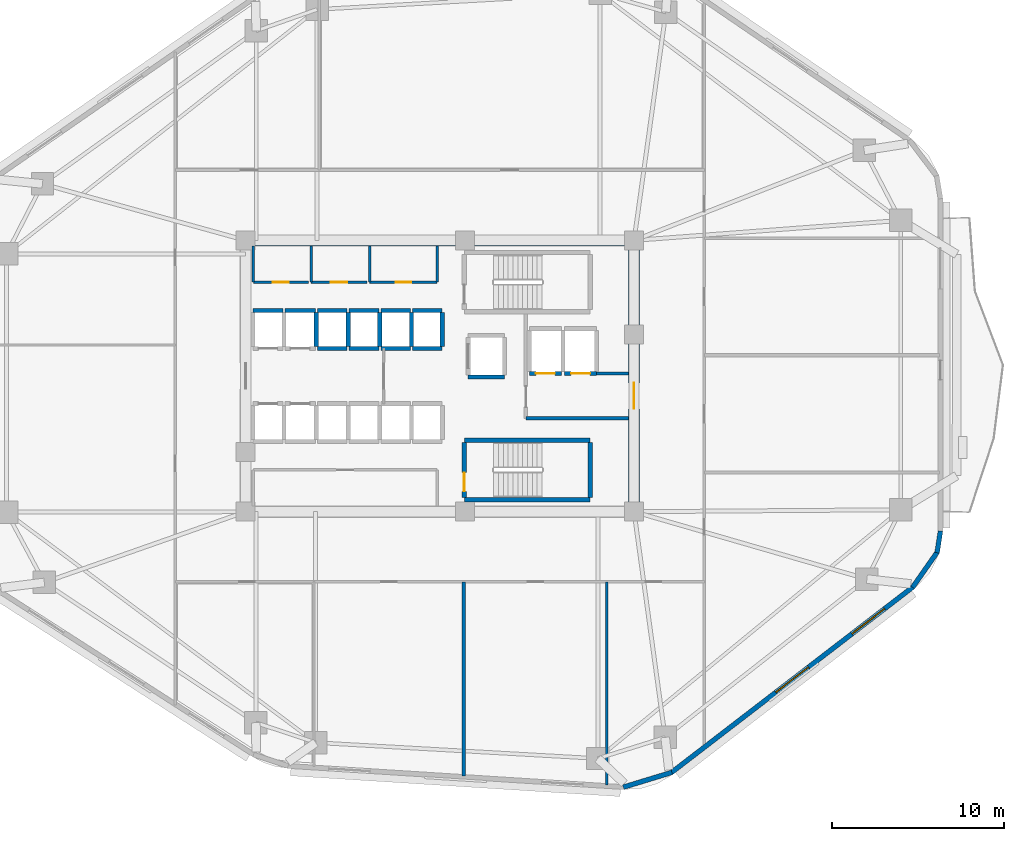
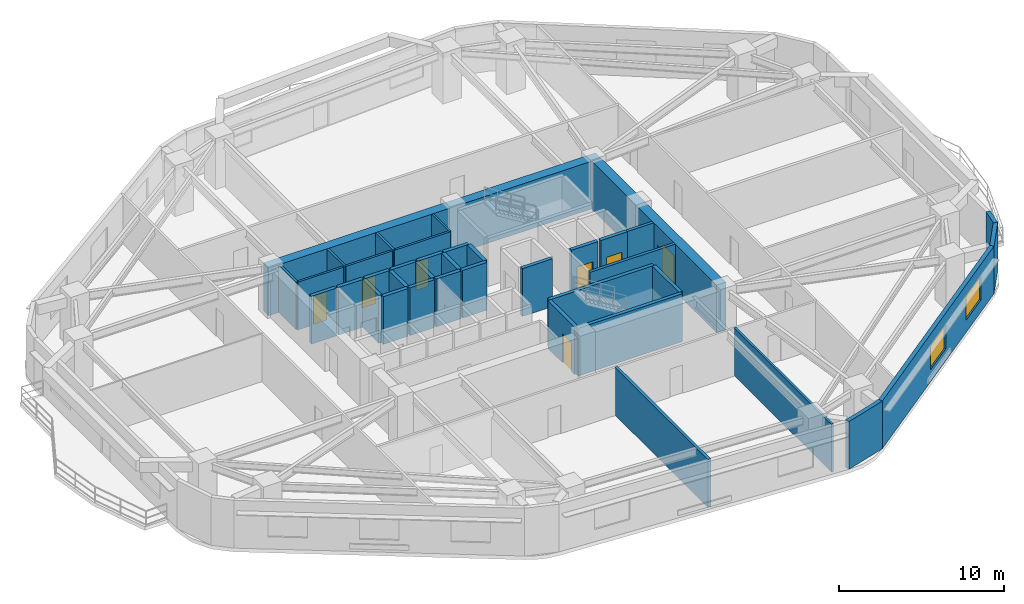
# One storey, part 4 of 9: 39 walls, 7 doors, 2 windows, 9 openings.
"""IFC4 building model written with IfcOpenShell, lengths in metres."""

from ifc_helpers import new_model, si_unit, direction, frame, frame_2d, origin, place, context, subcontext, project, spatial, rectangle, extrude, material, layer, layer_set, type_object, element, fill, save


model = new_model("IFC4")

# Units and contexts
model_context = context("Model", 3, precision=1e-05, world=origin(), true_north=direction((0.0, 1.0)))
body_context = subcontext(model_context, "Body", "Model", "MODEL_VIEW")
ifc_project = project(units=[si_unit("LENGTHUNIT", "METRE"), si_unit("AREAUNIT", "SQUARE_METRE"), si_unit("VOLUMEUNIT", "CUBIC_METRE"), si_unit("PLANEANGLEUNIT", "RADIAN"), si_unit("MASSUNIT", "GRAM", prefix="KILO")], contexts=[model_context])

# Site, building, storey
site_placement = place(None, origin())
site = spatial("IfcSite", under=ifc_project, at=site_placement, CompositionType="ELEMENT")
building_placement = place(site_placement, origin())
building = spatial("IfcBuilding", under=site, at=building_placement, Name="Zulverin Broadcast Headquarters", CompositionType="ELEMENT")
storey_placement = place(building_placement, frame((0.0, 0.0, 59.199951171875)))
storey = spatial("IfcBuildingStorey", under=building, at=storey_placement, Name="L14", CompositionType="ELEMENT", Elevation=59.199951171875)

# Walls
ifc_material_1 = material(Name="Acoustic drywall steel stud", Category="steel")
ifc_layer_1 = layer(ifc_material_1, 0.199951171875, Name="Acoustic drywall steel stud", Category="steel")
ifc_layer_set_1 = layer_set([ifc_layer_1], Name="Acoustic drywall steel stud")
wall_type_1 = type_object("IfcWallType", Name="WL-ACOU-200", PredefinedType="PARTITIONING", material=ifc_layer_set_1)
wall_1_placement = place(storey_placement, frame((38.39990234375, 1.989990234375, 0.0), z_axis=(0.0, 0.0, 1.0), x_axis=(0.0, 1.0, 0.0)))
element("IfcWall", 1, at=wall_1_placement, inside=storey, type_object=wall_type_1, Name="L14 Room Partition Wall RP-03", PredefinedType="PARTITIONING", context=body_context, shape_type="SweptSolid", body=[
    extrude(rectangle(XDim=11.260009765625, YDim=0.199951171875, at=frame_2d((5.6298828125, 0.0))), origin(), (0.0, 0.0, 1.0), 3.525146484375),
])
ifc_material_2 = material(Name="Concrete C60/75", Category="concrete")
ifc_layer_2 = layer(ifc_material_2, 0.64990234375, Name="Concrete C60/75", Category="concrete")
ifc_layer_set_2 = layer_set([ifc_layer_2], Name="Concrete C60/75")
wall_type_2 = type_object("IfcWallType", Name="WL-CORE-650", PredefinedType="SHEAR", material=ifc_layer_set_2)
wall_2_placement = place(storey_placement, frame((25.39990234375, 33.074951171875, 0.0), z_axis=(0.0, 0.0, 1.0), x_axis=(1.0, 0.0, 0.0)))
element("IfcWall", 2, at=wall_2_placement, inside=storey, type_object=wall_type_2, Name="L14 Core North Shear Wall", PredefinedType="SHEAR", context=body_context, shape_type="SweptSolid", body=[
    extrude(rectangle(XDim=23.2001953125, YDim=0.64990234375, at=frame_2d((11.60009765625, 0.0))), origin(), (0.0, 0.0, 1.0), 3.525146484375),
])

# Wall, opening, door
wall_3_placement = place(storey_placement, frame((48.27490234375, 17.64990234375, 0.0), z_axis=(0.0, 0.0, 1.0), x_axis=(0.0, 1.0, 0.0)))
wall_3 = element("IfcWall", 3, at=wall_3_placement, inside=storey, type_object=wall_type_2, Name="L14 Core East Shear Wall", PredefinedType="SHEAR", context=body_context, shape_type="SweptSolid", body=[
    extrude(rectangle(XDim=15.10009765625, YDim=0.64990234375, at=frame_2d((7.550048828125, 0.0))), origin(), (0.0, 0.0, 1.0), 3.525146484375),
])
opening_1_placement = place(wall_3_placement, frame((5.64990234375, 0.0, 0.0)))
opening_1 = element("IfcOpeningElement", 4, at=opening_1_placement, cuts=wall_3, Name="Opening D-L14-CE1", PredefinedType="OPENING", context=body_context, shape_type="SweptSolid", body=[
    extrude(rectangle(XDim=1.5, YDim=2.14990234375, at=frame_2d((0.75, 1.074951171875))), frame((0.0, 0.3349609375, 0.0), z_axis=(0.0, -1.0, 0.0), x_axis=(1.0, 0.0, 0.0)), (0.0, 0.0, 1.0), 0.669921875),
])
ifc_material_3 = material(Name="Fire-rated glazed steel frame", Category="steel")
door_type_1 = type_object("IfcDoorType", Name="DR-COR-1500", OperationType="DOUBLE_DOOR_SINGLE_SWING", PredefinedType="DOOR", material=ifc_material_3)
door_1_placement = place(opening_1_placement, origin())
door_1 = element("IfcDoor", 5, at=door_1_placement, inside=storey, type_object=door_type_1, Name="L14 Firefighting Lobby East Corridor Door", OperationType="DOUBLE_DOOR_SINGLE_SWING", OverallHeight=2.14990234375, OverallWidth=1.5, PredefinedType="DOOR", context=body_context, shape_type="SweptSolid", body=[
    extrude(rectangle(XDim=1.5, YDim=2.14990234375, at=frame_2d((0.75, 1.074951171875))), frame((0.0, 0.02490234375, 0.0), z_axis=(0.0, -1.0, 0.0), x_axis=(1.0, 0.0, 0.0)), (0.0, 0.0, 1.0), 0.050048828125),
])
fill(opening_1, door_1)

# Wall, openings, windows
ifc_material_4 = material(Name="Insulated pale-metal clad concrete spandrel C40/50", Category="concrete")
ifc_layer_3 = layer(ifc_material_4, 0.280029296875, Name="Insulated pale-metal clad concrete spandrel C40/50", Category="concrete")
ifc_layer_set_3 = layer_set([ifc_layer_3], Name="Insulated pale-metal clad concrete spandrel C40/50")
wall_type_3 = type_object("IfcWallType", Name="WL-EXT-280", PredefinedType="STANDARD", material=ifc_layer_set_3)
wall_4_placement = place(storey_placement, frame((50.4287109375, 2.171630859375, 0.0), z_axis=(0.0, 0.0, 1.0), x_axis=(0.792937466367, 0.609303023488, 0.0)))
wall_4 = element("IfcWall", 6, at=wall_4_placement, inside=storey, type_object=wall_type_3, Name="L14 Pale-Metal Clad Spandrel Wall 2", PredefinedType="STANDARD", context=body_context, shape_type="SweptSolid", body=[
    extrude(rectangle(XDim=17.712890625, YDim=0.280029296875, at=frame_2d((8.8564453125, 0.0))), origin(), (0.0, 0.0, 1.0), 3.525146484375),
])
opening_2_placement = place(wall_4_placement, frame((7.656494140625, 0.0, 0.89990234375)))
opening_2 = element("IfcOpeningElement", 7, at=opening_2_placement, cuts=wall_4, Name="Opening W-L14-E21", PredefinedType="OPENING", context=body_context, shape_type="SweptSolid", body=[
    extrude(rectangle(XDim=2.39990234375, YDim=1.75, at=frame_2d((1.199951171875, 0.875))), frame((0.0, 0.14990234375, 0.0), z_axis=(0.0, -1.0, 0.0), x_axis=(1.0, 0.0, 0.0)), (0.0, 0.0, 1.0), 0.300048828125),
])
opening_3_placement = place(wall_4_placement, frame((13.227294921875, 0.0, 0.89990234375)))
opening_3 = element("IfcOpeningElement", 8, at=opening_3_placement, cuts=wall_4, Name="Opening W-L14-E22", PredefinedType="OPENING", context=body_context, shape_type="SweptSolid", body=[
    extrude(rectangle(XDim=2.39990234375, YDim=1.75, at=frame_2d((1.199951171875, 0.875))), frame((0.0, 0.14990234375, 0.0), z_axis=(0.0, -1.0, 0.0), x_axis=(1.0, 0.0, 0.0)), (0.0, 0.0, 1.0), 0.300048828125),
])
ifc_material_5 = material(Name="Pale anodized aluminium frame with solar-control low-E double glazing", Category="aluminium")
window_type = type_object("IfcWindowType", Name="WIN-RIB-2400", PartitioningType="SINGLE_PANEL", PredefinedType="WINDOW", material=ifc_material_5)
window_1_placement = place(opening_2_placement, origin())
window_1 = element("IfcWindow", 9, at=window_1_placement, inside=storey, type_object=window_type, Name="L14 Ribbon Glazing Window 2 1", OverallHeight=1.75, OverallWidth=2.39990234375, PartitioningType="SINGLE_PANEL", PredefinedType="WINDOW", context=body_context, shape_type="SweptSolid", body=[
    extrude(rectangle(XDim=2.39990234375, YDim=1.75, at=frame_2d((1.199951171875, 0.875))), frame((0.0, 0.030029296875, 0.0), z_axis=(0.0, -1.0, 0.0), x_axis=(1.0, 0.0, 0.0)), (0.0, 0.0, 1.0), 0.06005859375),
])
fill(opening_2, window_1)
window_2_placement = place(opening_3_placement, origin())
window_2 = element("IfcWindow", 10, at=window_2_placement, inside=storey, type_object=window_type, Name="L14 Ribbon Glazing Window 2 2", OverallHeight=1.75, OverallWidth=2.39990234375, PartitioningType="SINGLE_PANEL", PredefinedType="WINDOW", context=body_context, shape_type="SweptSolid", body=[
    extrude(rectangle(XDim=2.39990234375, YDim=1.75, at=frame_2d((1.199951171875, 0.875))), frame((0.0, 0.030029296875, 0.0), z_axis=(0.0, -1.0, 0.0), x_axis=(1.0, 0.0, 0.0)), (0.0, 0.0, 1.0), 0.06005859375),
])
fill(opening_3, window_2)

# Walls
wall_5_placement = place(storey_placement, frame((47.649658203125, 1.3330078125, 0.0), z_axis=(0.0, 0.0, 1.0), x_axis=(0.956461287977, 0.291859220516, 0.0)))
element("IfcWall", 11, at=wall_5_placement, inside=storey, type_object=wall_type_3, Name="L14 Wind-Shaped Corner Spandrel Wall 1-1", PredefinedType="STANDARD", context=body_context, shape_type="SweptSolid", body=[
    extrude(rectangle(XDim=2.951904296875, YDim=0.280029296875, at=frame_2d((1.47607421875, 0.0))), origin(), (0.0, 0.0, 1.0), 3.525146484375),
])
wall_6_placement = place(storey_placement, frame((64.4443359375, 12.933349609375, 0.0), z_axis=(0.0, 0.0, 1.0), x_axis=(0.573176686443, 0.819431806875, 0.0)))
element("IfcWall", 12, at=wall_6_placement, inside=storey, type_object=wall_type_3, Name="L14 Wind-Shaped Corner Spandrel Wall 2-1", PredefinedType="STANDARD", context=body_context, shape_type="SweptSolid", body=[
    extrude(rectangle(XDim=2.524169921875, YDim=0.280029296875, at=frame_2d((1.26220703125, 0.0))), origin(), (0.0, 0.0, 1.0), 3.525146484375),
])
wall_7_placement = place(storey_placement, frame((65.867431640625, 14.942626953125, 0.0), z_axis=(0.0, 0.0, 1.0), x_axis=(0.152014078361, 0.988378328364, 0.0)))
element("IfcWall", 13, at=wall_7_placement, inside=storey, type_object=wall_type_3, Name="L14 Wind-Shaped Corner Spandrel Wall 2-2", PredefinedType="STANDARD", context=body_context, shape_type="SweptSolid", body=[
    extrude(rectangle(XDim=1.27685546875, YDim=0.280029296875, at=frame_2d((0.638427734375, 0.0))), origin(), (0.0, 0.0, 1.0), 3.525146484375),
])
ifc_material_6 = material(Name="Concrete C40/50", Category="concrete")
ifc_layer_4 = layer(ifc_material_6, 0.199951171875, Name="Concrete C40/50", Category="concrete")
ifc_layer_set_4 = layer_set([ifc_layer_4], Name="Concrete C40/50")
wall_type_4 = type_object("IfcWallType", Name="WL-FFL-200", PredefinedType="SOLIDWALL", material=ifc_layer_set_4)
wall_8_placement = place(storey_placement, frame((42.0, 22.75, 0.0), z_axis=(0.0, 0.0, 1.0), x_axis=(1.0, 0.0, 0.0)))
element("IfcWall", 14, at=wall_8_placement, inside=storey, type_object=wall_type_4, Name="L14 Firefighting Lift Lobby South Wall", PredefinedType="SOLIDWALL", context=body_context, shape_type="SweptSolid", body=[
    extrude(rectangle(XDim=5.949951171875, YDim=0.199951171875, at=frame_2d((2.97509765625, 0.0))), origin(), (0.0, 0.0, 1.0), 3.525146484375),
])
wall_9_placement = place(storey_placement, frame((46.10009765625, 25.35009765625, 0.0), z_axis=(0.0, 0.0, 1.0), x_axis=(1.0, 0.0, 0.0)))
element("IfcWall", 15, at=wall_9_placement, inside=storey, type_object=wall_type_4, Name="L14 Firefighting Lift Lobby North Wall", PredefinedType="SOLIDWALL", context=body_context, shape_type="SweptSolid", body=[
    extrude(rectangle(XDim=1.849853515625, YDim=0.199951171875, at=frame_2d((0.9248046875, 0.0))), origin(), (0.0, 0.0, 1.0), 3.525146484375),
])

# Wall, opening, door
ifc_material_7 = material(Name="Fire-rated gypsum stud partition", Category="gypsum")
ifc_layer_5 = layer(ifc_material_7, 0.14990234375, Name="Fire-rated gypsum stud partition", Category="gypsum")
ifc_layer_set_5 = layer_set([ifc_layer_5], Name="Fire-rated gypsum stud partition")
wall_type_5 = type_object("IfcWallType", Name="WL-PART-150", PredefinedType="PARTITIONING", material=ifc_layer_set_5)
wall_10_placement = place(storey_placement, frame((26.169921875, 30.64990234375, 0.0), z_axis=(0.0, 0.0, 1.0), x_axis=(1.0, 0.0, 0.0)))
wall_10 = element("IfcWall", 16, at=wall_10_placement, inside=storey, type_object=wall_type_5, Name="L14 Core Accessible WC Front Wall", PredefinedType="PARTITIONING", context=body_context, shape_type="SweptSolid", body=[
    extrude(rectangle(XDim=3.2001953125, YDim=0.14990234375, at=frame_2d((1.60009765625, 0.0))), origin(), (0.0, 0.0, 1.0), 3.525146484375),
])
opening_4_placement = place(wall_10_placement, frame((1.125, 0.0, 0.0)))
opening_4 = element("IfcOpeningElement", 17, at=opening_4_placement, cuts=wall_10, Name="Opening D-L14-NC1", PredefinedType="OPENING", context=body_context, shape_type="SweptSolid", body=[
    extrude(rectangle(XDim=0.949951171875, YDim=2.10009765625, at=frame_2d((0.47509765625, 1.050048828125))), frame((0.0, 0.0849609375, 0.0), z_axis=(0.0, -1.0, 0.0), x_axis=(1.0, 0.0, 0.0)), (0.0, 0.0, 1.0), 0.169921875),
])
ifc_material_8 = material(Name="Fire-rated moisture-resistant laminate leaf", Category="wood")
door_type_2 = type_object("IfcDoorType", Name="DR-WC-950", OperationType="SINGLE_SWING_LEFT", PredefinedType="DOOR", material=ifc_material_8)
door_2_placement = place(opening_4_placement, origin())
door_2 = element("IfcDoor", 18, at=door_2_placement, inside=storey, type_object=door_type_2, Name="L14 Accessible WC Door", OperationType="SINGLE_SWING_LEFT", OverallHeight=2.10009765625, OverallWidth=0.949951171875, PredefinedType="DOOR", context=body_context, shape_type="SweptSolid", body=[
    extrude(rectangle(XDim=0.949951171875, YDim=2.10009765625, at=frame_2d((0.47509765625, 1.050048828125))), frame((0.0, 0.02490234375, 0.0), z_axis=(0.0, -1.0, 0.0), x_axis=(1.0, 0.0, 0.0)), (0.0, 0.0, 1.0), 0.050048828125),
])
fill(opening_4, door_2)

# Wall
wall_11_placement = place(storey_placement, frame((26.169921875, 30.64990234375, 0.0), z_axis=(0.0, 0.0, 1.0), x_axis=(0.0, 1.0, 0.0)))
element("IfcWall", 19, at=wall_11_placement, inside=storey, type_object=wall_type_5, Name="L14 Core Accessible WC West Wall", PredefinedType="PARTITIONING", context=body_context, shape_type="SweptSolid", body=[
    extrude(rectangle(XDim=2.10009765625, YDim=0.14990234375, at=frame_2d((1.050048828125, 0.0))), origin(), (0.0, 0.0, 1.0), 3.525146484375),
])

# Wall, opening, door
wall_12_placement = place(storey_placement, frame((29.530029296875, 30.64990234375, 0.0), z_axis=(0.0, 0.0, 1.0), x_axis=(1.0, 0.0, 0.0)))
wall_12 = element("IfcWall", 20, at=wall_12_placement, inside=storey, type_object=wall_type_5, Name="L14 Core Male WC Front Wall", PredefinedType="PARTITIONING", context=body_context, shape_type="SweptSolid", body=[
    extrude(rectangle(XDim=3.239990234375, YDim=0.14990234375, at=frame_2d((1.6201171875, 0.0))), origin(), (0.0, 0.0, 1.0), 3.525146484375),
])
opening_5_placement = place(wall_12_placement, frame((1.14501953125, 0.0, 0.0)))
opening_5 = element("IfcOpeningElement", 21, at=opening_5_placement, cuts=wall_12, Name="Opening D-L14-NC2", PredefinedType="OPENING", context=body_context, shape_type="SweptSolid", body=[
    extrude(rectangle(XDim=0.949951171875, YDim=2.10009765625, at=frame_2d((0.47509765625, 1.050048828125))), frame((0.0, 0.0849609375, 0.0), z_axis=(0.0, -1.0, 0.0), x_axis=(1.0, 0.0, 0.0)), (0.0, 0.0, 1.0), 0.169921875),
])
door_3_placement = place(opening_5_placement, origin())
door_3 = element("IfcDoor", 22, at=door_3_placement, inside=storey, type_object=door_type_2, Name="L14 Male WC Door", OperationType="SINGLE_SWING_RIGHT", OverallHeight=2.10009765625, OverallWidth=0.949951171875, PredefinedType="DOOR", context=body_context, shape_type="SweptSolid", body=[
    extrude(rectangle(XDim=0.949951171875, YDim=2.10009765625, at=frame_2d((0.47509765625, 1.050048828125))), frame((0.0, 0.02490234375, 0.0), z_axis=(0.0, -1.0, 0.0), x_axis=(1.0, 0.0, 0.0)), (0.0, 0.0, 1.0), 0.050048828125),
])
fill(opening_5, door_3)

# Wall
wall_13_placement = place(storey_placement, frame((29.530029296875, 30.64990234375, 0.0), z_axis=(0.0, 0.0, 1.0), x_axis=(0.0, 1.0, 0.0)))
element("IfcWall", 23, at=wall_13_placement, inside=storey, type_object=wall_type_5, Name="L14 Core Male WC West Wall", PredefinedType="PARTITIONING", context=body_context, shape_type="SweptSolid", body=[
    extrude(rectangle(XDim=2.10009765625, YDim=0.14990234375, at=frame_2d((1.050048828125, 0.0))), origin(), (0.0, 0.0, 1.0), 3.525146484375),
])

# Wall, opening, door
wall_14_placement = place(storey_placement, frame((32.929931640625, 30.64990234375, 0.0), z_axis=(0.0, 0.0, 1.0), x_axis=(1.0, 0.0, 0.0)))
wall_14 = element("IfcWall", 24, at=wall_14_placement, inside=storey, type_object=wall_type_5, Name="L14 Core Electrical Switch Riser Front Wall", PredefinedType="PARTITIONING", context=body_context, shape_type="SweptSolid", body=[
    extrude(rectangle(XDim=3.920166015625, YDim=0.14990234375, at=frame_2d((1.9599609375, 0.0))), origin(), (0.0, 0.0, 1.0), 3.525146484375),
])
opening_6_placement = place(wall_14_placement, frame((1.510009765625, 0.0, 0.0)))
opening_6 = element("IfcOpeningElement", 25, at=opening_6_placement, cuts=wall_14, Name="Opening D-L14-NC3", PredefinedType="OPENING", context=body_context, shape_type="SweptSolid", body=[
    extrude(rectangle(XDim=0.89990234375, YDim=2.10009765625, at=frame_2d((0.449951171875, 1.050048828125))), frame((0.0, 0.0849609375, 0.0), z_axis=(0.0, -1.0, 0.0), x_axis=(1.0, 0.0, 0.0)), (0.0, 0.0, 1.0), 0.169921875),
])
ifc_material_9 = material(Name="Powder-coated steel access leaf", Category="steel")
door_type_3 = type_object("IfcDoorType", Name="DR-RISER-900", OperationType="SINGLE_SWING_LEFT", PredefinedType="DOOR", material=ifc_material_9)
door_4_placement = place(opening_6_placement, origin())
door_4 = element("IfcDoor", 26, at=door_4_placement, inside=storey, type_object=door_type_3, Name="L14 Electrical Switch Riser Door", OperationType="SINGLE_SWING_LEFT", OverallHeight=2.10009765625, OverallWidth=0.89990234375, PredefinedType="DOOR", context=body_context, shape_type="SweptSolid", body=[
    extrude(rectangle(XDim=0.89990234375, YDim=2.10009765625, at=frame_2d((0.449951171875, 1.050048828125))), frame((0.0, 0.02490234375, 0.0), z_axis=(0.0, -1.0, 0.0), x_axis=(1.0, 0.0, 0.0)), (0.0, 0.0, 1.0), 0.050048828125),
])
fill(opening_6, door_4)

# Walls
for number, where, z_axis, x_axis, name in (
    (27, (32.929931640625, 30.64990234375, 0.0), (0.0, 0.0, 1.0), (0.0, 1.0, 0.0), "L14 Core Electrical Switch Riser West Wall"),
    (28, (36.85009765625, 30.64990234375, 0.0), (0.0, 0.0, 1.0), (0.0, 1.0, 0.0), "L14 Core Electrical Switch Riser East Wall"),
):
    element("IfcWall", number, at=place(storey_placement, frame(where, z_axis=z_axis, x_axis=x_axis)), inside=storey, type_object=wall_type_5, Name=name, PredefinedType="PARTITIONING", context=body_context, shape_type="SweptSolid", body=[
        extrude(rectangle(XDim=2.10009765625, YDim=0.14990234375, at=frame_2d((1.050048828125, 0.0))), origin(), (0.0, 0.0, 1.0), 3.525146484375),
    ])
wall_15_placement = place(storey_placement, frame((46.699951171875, 1.466796875, 0.0), z_axis=(0.0, 0.0, 1.0), x_axis=(0.0, 1.0, 0.0)))
element("IfcWall", 29, at=wall_15_placement, inside=storey, type_object=wall_type_5, Name="L14 Room Partition Wall RP-02", PredefinedType="PARTITIONING", context=body_context, shape_type="SweptSolid", body=[
    extrude(rectangle(XDim=11.783203125, YDim=0.14990234375, at=frame_2d((5.8916015625, 0.0))), origin(), (0.0, 0.0, 1.0), 3.525146484375),
])
ifc_material_10 = material(Name="Concrete C50/60", Category="concrete")
ifc_layer_6 = layer(ifc_material_10, 0.25, Name="Concrete C50/60", Category="concrete")
ifc_layer_set_6 = layer_set([ifc_layer_6], Name="Concrete C50/60")
wall_type_6 = type_object("IfcWallType", Name="WL-SHAFT-250", PredefinedType="SHEAR", material=ifc_layer_set_6)
for number, where, z_axis, x_axis, name in (
    (30, (38.425048828125, 18.02490234375, 0.0), (0.0, 0.0, 1.0), (1.0, 0.0, 0.0), "L14 ST-2 Enclosure Wall S"),
    (31, (38.425048828125, 21.47509765625, 0.0), (0.0, 0.0, 1.0), (1.0, 0.0, 0.0), "L14 ST-2 Enclosure Wall N"),
):
    element("IfcWall", number, at=place(storey_placement, frame(where, z_axis=z_axis, x_axis=x_axis)), inside=storey, type_object=wall_type_6, Name=name, PredefinedType="SHEAR", context=body_context, shape_type="SweptSolid", body=[
        extrude(rectangle(XDim=7.300048828125, YDim=0.25, at=frame_2d((3.64990234375, 0.0))), origin(), (0.0, 0.0, 1.0), 3.525146484375),
    ])

# Wall, opening, door
wall_16_placement = place(storey_placement, frame((38.425048828125, 18.14990234375, 0.0), z_axis=(0.0, 0.0, 1.0), x_axis=(0.0, 1.0, 0.0)))
wall_16 = element("IfcWall", 32, at=wall_16_placement, inside=storey, type_object=wall_type_6, Name="L14 ST-2 Enclosure Wall W", PredefinedType="SHEAR", context=body_context, shape_type="SweptSolid", body=[
    extrude(rectangle(XDim=3.2001953125, YDim=0.25, at=frame_2d((1.60009765625, 0.0))), origin(), (0.0, 0.0, 1.0), 3.525146484375),
])
opening_7_placement = place(wall_16_placement, frame((0.35009765625, 0.0, 0.0)))
opening_7 = element("IfcOpeningElement", 33, at=opening_7_placement, cuts=wall_16, Name="Opening D-L14-ST-2", PredefinedType="OPENING", context=body_context, shape_type="SweptSolid", body=[
    extrude(rectangle(XDim=1.10009765625, YDim=2.14990234375, at=frame_2d((0.550048828125, 1.074951171875))), frame((0.0, 0.135009765625, 0.0), z_axis=(0.0, -1.0, 0.0), x_axis=(1.0, 0.0, 0.0)), (0.0, 0.0, 1.0), 0.27001953125),
])
ifc_material_11 = material(Name="Fire-rated steel leaf and frame", Category="steel")
door_type_4 = type_object("IfcDoorType", Name="DR-STAIR-1100", OperationType="SINGLE_SWING_LEFT", PredefinedType="DOOR", material=ifc_material_11)
door_5_placement = place(opening_7_placement, origin())
door_5 = element("IfcDoor", 34, at=door_5_placement, inside=storey, type_object=door_type_4, Name="L14 Exit Stair ST-2 Fire Door", OperationType="SINGLE_SWING_RIGHT", OverallHeight=2.14990234375, OverallWidth=1.10009765625, PredefinedType="DOOR", context=body_context, shape_type="SweptSolid", body=[
    extrude(rectangle(XDim=1.10009765625, YDim=2.14990234375, at=frame_2d((0.550048828125, 1.074951171875))), frame((0.0, 0.02490234375, 0.0), z_axis=(0.0, -1.0, 0.0), x_axis=(1.0, 0.0, 0.0)), (0.0, 0.0, 1.0), 0.050048828125),
])
fill(opening_7, door_5)

# Walls
wall_17_placement = place(storey_placement, frame((45.72509765625, 18.14990234375, 0.0), z_axis=(0.0, 0.0, 1.0), x_axis=(0.0, 1.0, 0.0)))
element("IfcWall", 35, at=wall_17_placement, inside=storey, type_object=wall_type_6, Name="L14 ST-2 Enclosure Wall E", PredefinedType="SHEAR", context=body_context, shape_type="SweptSolid", body=[
    extrude(rectangle(XDim=3.2001953125, YDim=0.25, at=frame_2d((1.60009765625, 0.0))), origin(), (0.0, 0.0, 1.0), 3.525146484375),
])
for number, where, z_axis, x_axis, name in (
    (36, (26.14990234375, 29.0, 0.0), (0.0, 0.0, 1.0), (1.0, 0.0, 0.0), "L14 Lift PL-L1 Shaft Wall N"),
    (37, (28.02001953125, 29.0, 0.0), (0.0, 0.0, 1.0), (1.0, 0.0, 0.0), "L14 Lift PL-L2 Shaft Wall N"),
):
    element("IfcWall", number, at=place(storey_placement, frame(where, z_axis=z_axis, x_axis=x_axis)), inside=storey, type_object=wall_type_6, Name=name, PredefinedType="SHEAR", context=body_context, shape_type="SweptSolid", body=[
        extrude(rectangle(XDim=1.75, YDim=0.25, at=frame_2d((0.875, 0.0))), origin(), (0.0, 0.0, 1.0), 3.525146484375),
    ])
wall_18_placement = place(storey_placement, frame((29.8349609375, 26.919921875, 0.0), z_axis=(0.0, 0.0, 1.0), x_axis=(0.0, 1.0, 0.0)))
element("IfcWall", 38, at=wall_18_placement, inside=storey, type_object=wall_type_6, Name="L14 Lift PL-L2 Shaft Wall E", PredefinedType="SHEAR", context=body_context, shape_type="SweptSolid", body=[
    extrude(rectangle(XDim=1.9599609375, YDim=0.25, at=frame_2d((0.97998046875, 0.0))), origin(), (0.0, 0.0, 1.0), 3.525146484375),
])
for number, where, z_axis, x_axis, name in (
    (39, (29.89990234375, 26.800048828125, 0.0), (0.0, 0.0, 1.0), (1.0, 0.0, 0.0), "L14 Lift PL-H1 Shaft Wall S"),
    (40, (29.89990234375, 29.0, 0.0), (0.0, 0.0, 1.0), (1.0, 0.0, 0.0), "L14 Lift PL-H1 Shaft Wall N"),
):
    element("IfcWall", number, at=place(storey_placement, frame(where, z_axis=z_axis, x_axis=x_axis)), inside=storey, type_object=wall_type_6, Name=name, PredefinedType="SHEAR", context=body_context, shape_type="SweptSolid", body=[
        extrude(rectangle(XDim=1.72021484375, YDim=0.25, at=frame_2d((0.860107421875, 0.0))), origin(), (0.0, 0.0, 1.0), 3.525146484375),
    ])
wall_19_placement = place(storey_placement, frame((31.679931640625, 26.919921875, 0.0), z_axis=(0.0, 0.0, 1.0), x_axis=(0.0, 1.0, 0.0)))
element("IfcWall", 41, at=wall_19_placement, inside=storey, type_object=wall_type_6, Name="L14 Lift PL-H1 Shaft Wall E", PredefinedType="SHEAR", context=body_context, shape_type="SweptSolid", body=[
    extrude(rectangle(XDim=1.9599609375, YDim=0.25, at=frame_2d((0.97998046875, 0.0))), origin(), (0.0, 0.0, 1.0), 3.525146484375),
])
for number, where, z_axis, x_axis, name in (
    (42, (31.739990234375, 26.800048828125, 0.0), (0.0, 0.0, 1.0), (1.0, 0.0, 0.0), "L14 Lift PL-H2 Shaft Wall S"),
    (43, (31.739990234375, 29.0, 0.0), (0.0, 0.0, 1.0), (1.0, 0.0, 0.0), "L14 Lift PL-H2 Shaft Wall N"),
):
    element("IfcWall", number, at=place(storey_placement, frame(where, z_axis=z_axis, x_axis=x_axis)), inside=storey, type_object=wall_type_6, Name=name, PredefinedType="SHEAR", context=body_context, shape_type="SweptSolid", body=[
        extrude(rectangle(XDim=1.719970703125, YDim=0.25, at=frame_2d((0.85986328125, 0.0))), origin(), (0.0, 0.0, 1.0), 3.525146484375),
    ])
wall_20_placement = place(storey_placement, frame((33.52001953125, 26.919921875, 0.0), z_axis=(0.0, 0.0, 1.0), x_axis=(0.0, 1.0, 0.0)))
element("IfcWall", 44, at=wall_20_placement, inside=storey, type_object=wall_type_6, Name="L14 Lift PL-H2 Shaft Wall E", PredefinedType="SHEAR", context=body_context, shape_type="SweptSolid", body=[
    extrude(rectangle(XDim=1.9599609375, YDim=0.25, at=frame_2d((0.97998046875, 0.0))), origin(), (0.0, 0.0, 1.0), 3.525146484375),
])
for number, where, z_axis, x_axis, name in (
    (45, (33.580078125, 26.800048828125, 0.0), (0.0, 0.0, 1.0), (1.0, 0.0, 0.0), "L14 Lift PL-H3 Shaft Wall S"),
    (46, (33.580078125, 29.0, 0.0), (0.0, 0.0, 1.0), (1.0, 0.0, 0.0), "L14 Lift PL-H3 Shaft Wall N"),
):
    element("IfcWall", number, at=place(storey_placement, frame(where, z_axis=z_axis, x_axis=x_axis)), inside=storey, type_object=wall_type_6, Name=name, PredefinedType="SHEAR", context=body_context, shape_type="SweptSolid", body=[
        extrude(rectangle(XDim=1.719970703125, YDim=0.25, at=frame_2d((0.85986328125, 0.0))), origin(), (0.0, 0.0, 1.0), 3.525146484375),
    ])
wall_21_placement = place(storey_placement, frame((35.360107421875, 26.919921875, 0.0), z_axis=(0.0, 0.0, 1.0), x_axis=(0.0, 1.0, 0.0)))
element("IfcWall", 47, at=wall_21_placement, inside=storey, type_object=wall_type_6, Name="L14 Lift PL-H3 Shaft Wall E", PredefinedType="SHEAR", context=body_context, shape_type="SweptSolid", body=[
    extrude(rectangle(XDim=1.9599609375, YDim=0.25, at=frame_2d((0.97998046875, 0.0))), origin(), (0.0, 0.0, 1.0), 3.525146484375),
])
for number, where, z_axis, x_axis, name in (
    (48, (35.419921875, 26.800048828125, 0.0), (0.0, 0.0, 1.0), (1.0, 0.0, 0.0), "L14 Lift PL-H4 Shaft Wall S"),
    (49, (35.419921875, 29.0, 0.0), (0.0, 0.0, 1.0), (1.0, 0.0, 0.0), "L14 Lift PL-H4 Shaft Wall N"),
):
    element("IfcWall", number, at=place(storey_placement, frame(where, z_axis=z_axis, x_axis=x_axis)), inside=storey, type_object=wall_type_6, Name=name, PredefinedType="SHEAR", context=body_context, shape_type="SweptSolid", body=[
        extrude(rectangle(XDim=1.719970703125, YDim=0.25, at=frame_2d((0.85986328125, 0.0))), origin(), (0.0, 0.0, 1.0), 3.525146484375),
    ])
wall_22_placement = place(storey_placement, frame((37.139892578125, 26.919921875, 0.0), z_axis=(0.0, 0.0, 1.0), x_axis=(0.0, 1.0, 0.0)))
element("IfcWall", 50, at=wall_22_placement, inside=storey, type_object=wall_type_6, Name="L14 Lift PL-H4 Shaft Wall E", PredefinedType="SHEAR", context=body_context, shape_type="SweptSolid", body=[
    extrude(rectangle(XDim=1.9599609375, YDim=0.25, at=frame_2d((0.97998046875, 0.0))), origin(), (0.0, 0.0, 1.0), 3.525146484375),
])

# Wall, opening, door
wall_23_placement = place(storey_placement, frame((42.199951171875, 25.35009765625, 0.0), z_axis=(0.0, 0.0, 1.0), x_axis=(1.0, 0.0, 0.0)))
wall_23 = element("IfcWall", 51, at=wall_23_placement, inside=storey, type_object=wall_type_6, Name="L14 Lift FFL-1 Shaft Wall S", PredefinedType="SHEAR", context=body_context, shape_type="SweptSolid", body=[
    extrude(rectangle(XDim=1.85009765625, YDim=0.25, at=frame_2d((0.925048828125, 0.0))), origin(), (0.0, 0.0, 1.0), 3.525146484375),
])
opening_8_placement = place(wall_23_placement, frame((0.375, 0.0, 0.0)))
opening_8 = element("IfcOpeningElement", 52, at=opening_8_placement, cuts=wall_23, Name="Opening LD-FFL-1-L14", PredefinedType="OPENING", context=body_context, shape_type="SweptSolid", body=[
    extrude(rectangle(XDim=1.10009765625, YDim=2.14990234375, at=frame_2d((0.550048828125, 1.074951171875))), frame((0.0, 0.135009765625, 0.0), z_axis=(0.0, -1.0, 0.0), x_axis=(1.0, 0.0, 0.0)), (0.0, 0.0, 1.0), 0.27001953125),
])
ifc_material_12 = material(Name="Fire-rated stainless landing door", Category="steel")
door_type_5 = type_object("IfcDoorType", Name="LD-FFL-1100", OperationType="DOUBLE_DOOR_SLIDING", PredefinedType="DOOR", material=ifc_material_12)
door_6_placement = place(opening_8_placement, origin())
door_6 = element("IfcDoor", 53, at=door_6_placement, inside=storey, type_object=door_type_5, Name="L14 Lift FFL-1 Sliding Landing Door", OperationType="DOUBLE_DOOR_SLIDING", OverallHeight=2.14990234375, OverallWidth=1.10009765625, PredefinedType="DOOR", context=body_context, shape_type="SweptSolid", body=[
    extrude(rectangle(XDim=1.10009765625, YDim=2.14990234375, at=frame_2d((0.550048828125, 1.074951171875))), frame((0.0, 0.02490234375, 0.0), z_axis=(0.0, -1.0, 0.0), x_axis=(1.0, 0.0, 0.0)), (0.0, 0.0, 1.0), 0.050048828125),
])
fill(opening_8, door_6)

wall_24_placement = place(storey_placement, frame((44.25, 25.35009765625, 0.0), z_axis=(0.0, 0.0, 1.0), x_axis=(1.0, 0.0, 0.0)))
wall_24 = element("IfcWall", 54, at=wall_24_placement, inside=storey, type_object=wall_type_6, Name="L14 Lift FFL-2 Shaft Wall S", PredefinedType="SHEAR", context=body_context, shape_type="SweptSolid", body=[
    extrude(rectangle(XDim=1.85009765625, YDim=0.25, at=frame_2d((0.925048828125, 0.0))), origin(), (0.0, 0.0, 1.0), 3.525146484375),
])
opening_9_placement = place(wall_24_placement, frame((0.375, 0.0, 0.0)))
opening_9 = element("IfcOpeningElement", 55, at=opening_9_placement, cuts=wall_24, Name="Opening LD-FFL-2-L14", PredefinedType="OPENING", context=body_context, shape_type="SweptSolid", body=[
    extrude(rectangle(XDim=1.10009765625, YDim=2.14990234375, at=frame_2d((0.550048828125, 1.074951171875))), frame((0.0, 0.135009765625, 0.0), z_axis=(0.0, -1.0, 0.0), x_axis=(1.0, 0.0, 0.0)), (0.0, 0.0, 1.0), 0.27001953125),
])
door_7_placement = place(opening_9_placement, origin())
door_7 = element("IfcDoor", 56, at=door_7_placement, inside=storey, type_object=door_type_5, Name="L14 Lift FFL-2 Sliding Landing Door", OperationType="DOUBLE_DOOR_SLIDING", OverallHeight=2.14990234375, OverallWidth=1.10009765625, PredefinedType="DOOR", context=body_context, shape_type="SweptSolid", body=[
    extrude(rectangle(XDim=1.10009765625, YDim=2.14990234375, at=frame_2d((0.550048828125, 1.074951171875))), frame((0.0, 0.02490234375, 0.0), z_axis=(0.0, -1.0, 0.0), x_axis=(1.0, 0.0, 0.0)), (0.0, 0.0, 1.0), 0.050048828125),
])
fill(opening_9, door_7)

# Wall
wall_25_placement = place(storey_placement, frame((38.64990234375, 25.14990234375, 0.0), z_axis=(0.0, 0.0, 1.0), x_axis=(1.0, 0.0, 0.0)))
element("IfcWall", 57, at=wall_25_placement, inside=storey, type_object=wall_type_6, Name="L14 Lift SVL-1 Shaft Wall S", PredefinedType="SHEAR", context=body_context, shape_type="SweptSolid", body=[
    extrude(rectangle(XDim=2.10009765625, YDim=0.25, at=frame_2d((1.050048828125, 0.0))), origin(), (0.0, 0.0, 1.0), 3.525146484375),
])

save(model, "model.ifc")
